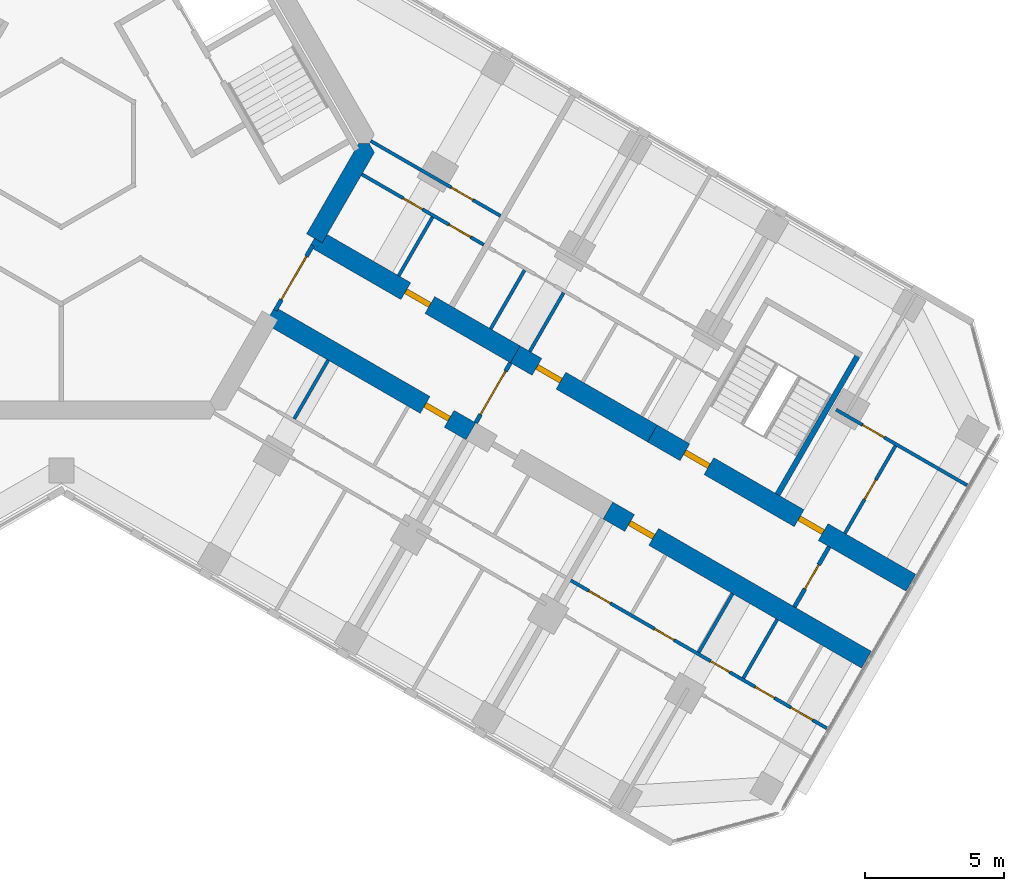
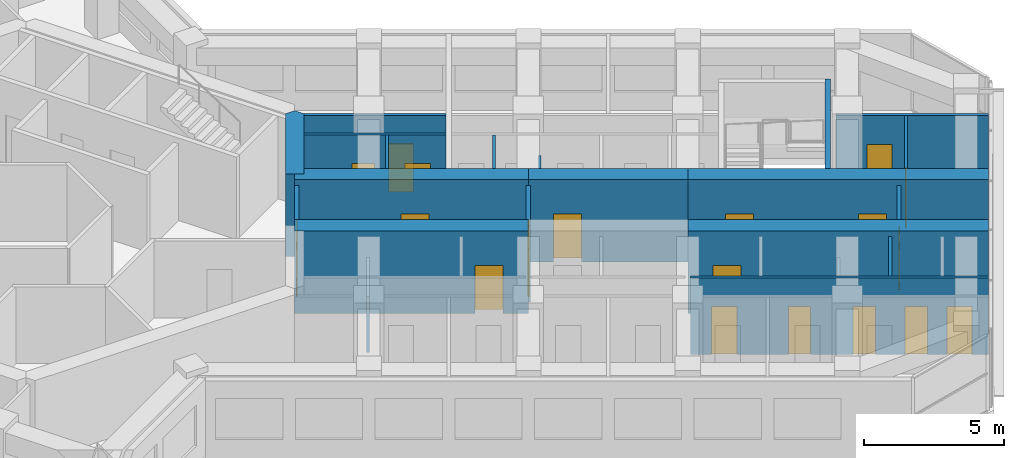
# One storey, part 12 of 17: 21 walls, 19 doors, 19 openings.
"""IFC4 building model written with IfcOpenShell, lengths in metres."""

from ifc_helpers import new_model, si_unit, direction, frame, frame_2d, origin, place, context, subcontext, project, spatial, polyline, rectangle, outline, extrude, material, layer, layer_set, type_object, element, fill, save


model = new_model("IFC4")

# Units and contexts
model_context = context("Model", 3, precision=1e-05, world=origin(), true_north=direction((0.0, 1.0)))
body_context = subcontext(model_context, "Body", "Model", "MODEL_VIEW")
ifc_project = project(units=[si_unit("LENGTHUNIT", "METRE"), si_unit("AREAUNIT", "SQUARE_METRE"), si_unit("VOLUMEUNIT", "CUBIC_METRE"), si_unit("PLANEANGLEUNIT", "RADIAN"), si_unit("MASSUNIT", "GRAM", prefix="KILO")], contexts=[model_context])

# Site, building, storey
site_placement = place(None, origin())
site = spatial("IfcSite", under=ifc_project, at=site_placement, CompositionType="ELEMENT")
building_placement = place(site_placement, origin())
building = spatial("IfcBuilding", under=site, at=building_placement, Name="Kosmar Iwan School Tower", CompositionType="ELEMENT")
storey_placement = place(building_placement, frame((0.0, 0.0, 193.800048828125)))
storey = spatial("IfcBuildingStorey", under=building, at=storey_placement, Name="L48", CompositionType="ELEMENT", Elevation=193.800048828125)

# Wall
ifc_material_1 = material(Name="Concrete C50/60", Category="concrete")
ifc_layer_1 = layer(ifc_material_1, 0.64990234375)
ifc_layer_set_1 = layer_set([ifc_layer_1], Name="Core wall 650")
wall_type_1 = type_object("IfcWallType", Name="Core wall 650", PredefinedType="SHEAR", material=ifc_layer_set_1)
wall_1_placement = place(storey_placement, origin())
element("IfcWall", 1, at=wall_1_placement, inside=storey, type_object=wall_type_1, Name="Core wall F330b", PredefinedType="SHEAR", context=body_context, shape_type="SweptSolid", body=[
    extrude(outline(polyline([(9.395263671875, -3.576904296875), (11.272705078125, -0.324951171875), (11.085205078125, 0.0), (10.7099609375, 0.0), (8.832275390625, -3.251953125), (9.395263671875, -3.576904296875)])), origin(), (0.0, 0.0, 1.0), 3.599853515625),
])

# Wall, opening, door
ifc_material_2 = material(Name="Concrete C50/60", Category="concrete")
ifc_layer_2 = layer(ifc_material_2, 0.699951171875)
ifc_layer_set_2 = layer_set([ifc_layer_2], Name="Corridor buttress wall 700")
wall_type_2 = type_object("IfcWallType", Name="Corridor buttress wall 700", PredefinedType="SHEAR", material=ifc_layer_set_2)
wall_2_placement = place(storey_placement, frame((9.11376953125, -3.414306640625, 0.0), z_axis=(0.0, 0.0, 1.0), x_axis=(0.866026859388, -0.499997478812, 0.0)))
wall_2 = element("IfcWall", 2, at=wall_2_placement, inside=storey, type_object=wall_type_2, Name="Corridor wall CL", PredefinedType="SHEAR", context=body_context, shape_type="SweptSolid", body=[
    extrude(rectangle(XDim=8.35009765625, YDim=0.699951171875, at=frame_2d((4.175048828125, 0.0))), origin(), (0.0, 0.0, 1.0), 3.599853515625),
])
opening_1_placement = place(wall_2_placement, frame((3.800048828125, 0.0, 0.0)))
opening_1 = element("IfcOpeningElement", 3, at=opening_1_placement, cuts=wall_2, Name="Opening D1", PredefinedType="OPENING", context=body_context, shape_type="SweptSolid", body=[
    extrude(rectangle(XDim=1.0, YDim=2.10009765625, at=frame_2d((0.5, 1.050048828125))), frame((0.0, 0.362060546875, 0.0), z_axis=(0.0, -1.0, 0.0), x_axis=(1.0, 0.0, 0.0)), (0.0, 0.0, 1.0), 0.723876953125),
])
ifc_material_3 = material(Name="Timber fire door in steel frame", Category="steel")
door_type_1 = type_object("IfcDoorType", Name="Flat entrance door 1000x2100", OperationType="SINGLE_SWING_LEFT", PredefinedType="DOOR", material=ifc_material_3)
door_1_placement = place(opening_1_placement, origin())
door_1 = element("IfcDoor", 4, at=door_1_placement, inside=storey, type_object=door_type_1, Name="Flat L48-CL1 entrance door", OperationType="SINGLE_SWING_LEFT", OverallHeight=2.10009765625, OverallWidth=1.0, PredefinedType="DOOR", context=body_context, shape_type="SweptSolid", body=[
    extrude(rectangle(XDim=1.0, YDim=2.10009765625, at=frame_2d((0.5, 1.050048828125))), frame((0.0, 0.10009765625, 0.0), z_axis=(0.0, -1.0, 0.0), x_axis=(1.0, 0.0, 0.0)), (0.0, 0.0, 1.0), 0.199951171875),
])
fill(opening_1, door_1)

wall_3_placement = place(storey_placement, frame((16.34521484375, -7.58935546875, 0.0), z_axis=(0.0, 0.0, 1.0), x_axis=(0.866015111908, -0.50001782563, 0.0)))
wall_3 = element("IfcWall", 5, at=wall_3_placement, inside=storey, type_object=wall_type_2, Name="Corridor wall CL bay 2", PredefinedType="SHEAR", context=body_context, shape_type="SweptSolid", body=[
    extrude(rectangle(XDim=5.699951171875, YDim=0.699951171875, at=frame_2d((2.85009765625, 0.0))), origin(), (0.0, 0.0, 1.0), 3.599853515625),
])
opening_2_placement = place(wall_3_placement, frame((0.89990234375, 0.0, 0.0)))
opening_2 = element("IfcOpeningElement", 6, at=opening_2_placement, cuts=wall_3, Name="Opening D1", PredefinedType="OPENING", context=body_context, shape_type="SweptSolid", body=[
    extrude(rectangle(XDim=1.0, YDim=2.10009765625, at=frame_2d((0.5, 1.050048828125))), frame((0.0, 0.362060546875, 0.0), z_axis=(0.0, -1.0, 0.0), x_axis=(1.0, 0.0, 0.0)), (0.0, 0.0, 1.0), 0.723876953125),
])
door_2_placement = place(opening_2_placement, origin())
door_2 = element("IfcDoor", 7, at=door_2_placement, inside=storey, type_object=door_type_1, Name="Flat L48-CL2 entrance door", OperationType="SINGLE_SWING_LEFT", OverallHeight=2.10009765625, OverallWidth=1.0, PredefinedType="DOOR", context=body_context, shape_type="SweptSolid", body=[
    extrude(rectangle(XDim=1.0, YDim=2.10009765625, at=frame_2d((0.5, 1.050048828125))), frame((0.0, 0.10009765625, 0.0), z_axis=(0.0, -1.0, 0.0), x_axis=(1.0, 0.0, 0.0)), (0.0, 0.0, 1.0), 0.199951171875),
])
fill(opening_2, door_2)

# Wall, openings, doors
wall_4_placement = place(storey_placement, frame((21.281494140625, -10.439453125, 0.0), z_axis=(0.0, 0.0, 1.0), x_axis=(0.866032345022, -0.499987977232, 0.0)))
wall_4 = element("IfcWall", 8, at=wall_4_placement, inside=storey, type_object=wall_type_2, Name="Corridor wall CL bay 3", PredefinedType="SHEAR", context=body_context, shape_type="SweptSolid", body=[
    extrude(rectangle(XDim=10.744873046875, YDim=0.699951171875, at=frame_2d((5.37255859375, 0.0))), origin(), (0.0, 0.0, 1.0), 3.599853515625),
])
opening_3_placement = place(wall_4_placement, frame((6.10009765625, 0.0, 0.0)))
opening_3 = element("IfcOpeningElement", 9, at=opening_3_placement, cuts=wall_4, Name="Opening D1", PredefinedType="OPENING", context=body_context, shape_type="SweptSolid", body=[
    extrude(rectangle(XDim=1.0, YDim=2.10009765625, at=frame_2d((0.5, 1.050048828125))), frame((0.0, 0.362060546875, 0.0), z_axis=(0.0, -1.0, 0.0), x_axis=(1.0, 0.0, 0.0)), (0.0, 0.0, 1.0), 0.723876953125),
])
opening_4_placement = place(wall_4_placement, frame((1.35009765625, 0.0, 0.0)))
opening_4 = element("IfcOpeningElement", 10, at=opening_4_placement, cuts=wall_4, Name="Opening D6", PredefinedType="OPENING", context=body_context, shape_type="SweptSolid", body=[
    extrude(rectangle(XDim=1.0, YDim=2.10009765625, at=frame_2d((0.5, 1.050048828125))), frame((0.0, 0.362060546875, 0.0), z_axis=(0.0, -1.0, 0.0), x_axis=(1.0, 0.0, 0.0)), (0.0, 0.0, 1.0), 0.723876953125),
])
door_3_placement = place(opening_3_placement, origin())
door_3 = element("IfcDoor", 11, at=door_3_placement, inside=storey, type_object=door_type_1, Name="Flat L48-CL3 entrance door", OperationType="SINGLE_SWING_RIGHT", OverallHeight=2.10009765625, OverallWidth=1.0, PredefinedType="DOOR", context=body_context, shape_type="SweptSolid", body=[
    extrude(rectangle(XDim=1.0, YDim=2.10009765625, at=frame_2d((0.5, 1.050048828125))), frame((0.0, 0.10009765625, 0.0), z_axis=(0.0, -1.0, 0.0), x_axis=(1.0, 0.0, 0.0)), (0.0, 0.0, 1.0), 0.199951171875),
])
fill(opening_3, door_3)
ifc_material_4 = material(Name="Steel fire door", Category="steel")
door_type_2 = type_object("IfcDoorType", Name="Stair door 1000x2100", OperationType="SINGLE_SWING_LEFT", PredefinedType="DOOR", material=ifc_material_4)
door_4_placement = place(opening_4_placement, origin())
door_4 = element("IfcDoor", 12, at=door_4_placement, inside=storey, type_object=door_type_2, Name="Stair WS3 door L48", OperationType="SINGLE_SWING_LEFT", OverallHeight=2.10009765625, OverallWidth=1.0, PredefinedType="DOOR", context=body_context, shape_type="SweptSolid", body=[
    extrude(rectangle(XDim=1.0, YDim=2.10009765625, at=frame_2d((0.5, 1.050048828125))), frame((0.0, 0.10009765625, 0.0), z_axis=(0.0, -1.0, 0.0), x_axis=(1.0, 0.0, 0.0)), (0.0, 0.0, 1.0), 0.199951171875),
])
fill(opening_4, door_4)

# Wall, opening, door
wall_5_placement = place(storey_placement, frame((7.513916015625, -6.185546875, 0.0), z_axis=(0.0, 0.0, 1.0), x_axis=(0.866019549707, -0.500010139422, 0.0)))
wall_5 = element("IfcWall", 13, at=wall_5_placement, inside=storey, type_object=wall_type_2, Name="Corridor wall CR", PredefinedType="SHEAR", context=body_context, shape_type="SweptSolid", body=[
    extrude(rectangle(XDim=8.349853515625, YDim=0.699951171875, at=frame_2d((4.1748046875, 0.0))), origin(), (0.0, 0.0, 1.0), 3.599853515625),
])
opening_5_placement = place(wall_5_placement, frame((6.449951171875, 0.0, 0.0)))
opening_5 = element("IfcOpeningElement", 14, at=opening_5_placement, cuts=wall_5, Name="Opening D1", PredefinedType="OPENING", context=body_context, shape_type="SweptSolid", body=[
    extrude(rectangle(XDim=1.0, YDim=2.10009765625, at=frame_2d((0.5, 1.050048828125))), frame((0.0, 0.362060546875, 0.0), z_axis=(0.0, -1.0, 0.0), x_axis=(1.0, 0.0, 0.0)), (0.0, 0.0, 1.0), 0.723876953125),
])
door_5_placement = place(opening_5_placement, origin())
door_5 = element("IfcDoor", 15, at=door_5_placement, inside=storey, type_object=door_type_1, Name="Flat L48-CR1 entrance door", OperationType="SINGLE_SWING_RIGHT", OverallHeight=2.10009765625, OverallWidth=1.0, PredefinedType="DOOR", context=body_context, shape_type="SweptSolid", body=[
    extrude(rectangle(XDim=1.0, YDim=2.10009765625, at=frame_2d((0.5, 1.050048828125))), frame((0.0, 0.10009765625, 0.0), z_axis=(0.0, -1.0, 0.0), x_axis=(1.0, 0.0, 0.0)), (0.0, 0.0, 1.0), 0.199951171875),
])
fill(opening_5, door_5)

wall_6_placement = place(storey_placement, frame((19.681396484375, -13.210693359375, 0.0), z_axis=(0.0, 0.0, 1.0), x_axis=(0.866028186671, -0.499995179869, 0.0)))
wall_6 = element("IfcWall", 16, at=wall_6_placement, inside=storey, type_object=wall_type_2, Name="Corridor wall CR bay 3", PredefinedType="SHEAR", context=body_context, shape_type="SweptSolid", body=[
    extrude(rectangle(XDim=10.7451171875, YDim=0.699951171875, at=frame_2d((5.37255859375, 0.0))), origin(), (0.0, 0.0, 1.0), 3.599853515625),
])
opening_6_placement = place(wall_6_placement, frame((0.89990234375, 0.0, 0.0)))
opening_6 = element("IfcOpeningElement", 17, at=opening_6_placement, cuts=wall_6, Name="Opening D1", PredefinedType="OPENING", context=body_context, shape_type="SweptSolid", body=[
    extrude(rectangle(XDim=1.0, YDim=2.10009765625, at=frame_2d((0.5, 1.050048828125))), frame((0.0, 0.362060546875, 0.0), z_axis=(0.0, -1.0, 0.0), x_axis=(1.0, 0.0, 0.0)), (0.0, 0.0, 1.0), 0.723876953125),
])
door_6_placement = place(opening_6_placement, origin())
door_6 = element("IfcDoor", 18, at=door_6_placement, inside=storey, type_object=door_type_1, Name="Flat L48-CR3 entrance door", OperationType="SINGLE_SWING_LEFT", OverallHeight=2.10009765625, OverallWidth=1.0, PredefinedType="DOOR", context=body_context, shape_type="SweptSolid", body=[
    extrude(rectangle(XDim=1.0, YDim=2.10009765625, at=frame_2d((0.5, 1.050048828125))), frame((0.0, 0.10009765625, 0.0), z_axis=(0.0, -1.0, 0.0), x_axis=(1.0, 0.0, 0.0)), (0.0, 0.0, 1.0), 0.199951171875),
])
fill(opening_6, door_6)

ifc_material_5 = material(Name="Gypsum board on steel studs, fire-rated", Category="steel")
ifc_layer_3 = layer(ifc_material_5, 0.14990234375)
ifc_layer_set_3 = layer_set([ifc_layer_3], Name="Corridor end wall 150")
wall_type_3 = type_object("IfcWallType", Name="Corridor end wall 150", PredefinedType="PARTITIONING", material=ifc_layer_set_3)
wall_7_placement = place(storey_placement, frame((26.39501953125, -16.6826171875, 0.0), z_axis=(0.0, 0.0, 1.0), x_axis=(0.500004234368, 0.866022959057, 0.0)))
wall_7 = element("IfcWall", 19, at=wall_7_placement, inside=storey, type_object=wall_type_3, Name="Partition L48-C-CE", PredefinedType="PARTITIONING", context=body_context, shape_type="SweptSolid", body=[
    extrude(rectangle(XDim=2.5, YDim=0.14990234375, at=frame_2d((1.25, 0.0))), origin(), (0.0, 0.0, 1.0), 3.349853515625),
])
opening_7_placement = place(wall_7_placement, frame((0.75, 0.0, 0.0)))
opening_7 = element("IfcOpeningElement", 20, at=opening_7_placement, cuts=wall_7, Name="Opening D13", PredefinedType="OPENING", context=body_context, shape_type="SweptSolid", body=[
    extrude(rectangle(XDim=1.0, YDim=2.10009765625, at=frame_2d((0.5, 1.050048828125))), frame((0.0, 0.0869140625, 0.0), z_axis=(0.0, -1.0, 0.0), x_axis=(1.0, 0.0, 0.0)), (0.0, 0.0, 1.0), 0.173828125),
])
ifc_material_6 = material(Name="Timber fire door with vision panel", Category="wood")
door_type_3 = type_object("IfcDoorType", Name="Corridor end door 1000x2100", OperationType="SINGLE_SWING_LEFT", PredefinedType="DOOR", material=ifc_material_6)
door_7_placement = place(opening_7_placement, origin())
door_7 = element("IfcDoor", 21, at=door_7_placement, inside=storey, type_object=door_type_3, Name="Laundry and drying room door L48-C", OperationType="SINGLE_SWING_RIGHT", OverallHeight=2.10009765625, OverallWidth=1.0, PredefinedType="DOOR", context=body_context, shape_type="SweptSolid", body=[
    extrude(rectangle(XDim=1.0, YDim=2.10009765625, at=frame_2d((0.5, 1.050048828125))), frame((0.0, 0.02490234375, 0.0), z_axis=(0.0, -1.0, 0.0), x_axis=(1.0, 0.0, 0.0)), (0.0, 0.0, 1.0), 0.050048828125),
])
fill(opening_7, door_7)

wall_8_placement = place(storey_placement, frame((14.920166015625, -10.0576171875, 0.0), z_axis=(0.0, 0.0, 1.0), x_axis=(0.500004234368, 0.866022959057, 0.0)))
wall_8 = element("IfcWall", 22, at=wall_8_placement, inside=storey, type_object=wall_type_3, Name="Partition L48-C-HW", PredefinedType="PARTITIONING", context=body_context, shape_type="SweptSolid", body=[
    extrude(rectangle(XDim=2.5, YDim=0.14990234375, at=frame_2d((1.25, 0.0))), origin(), (0.0, 0.0, 1.0), 3.349853515625),
])
opening_8_placement = place(wall_8_placement, frame((0.35009765625, 0.0, 0.0)))
opening_8 = element("IfcOpeningElement", 23, at=opening_8_placement, cuts=wall_8, Name="Opening D9", PredefinedType="OPENING", context=body_context, shape_type="SweptSolid", body=[
    extrude(rectangle(XDim=1.800048828125, YDim=2.10009765625, at=frame_2d((0.89990234375, 1.050048828125))), frame((0.0, 0.0869140625, 0.0), z_axis=(0.0, -1.0, 0.0), x_axis=(1.0, 0.0, 0.0)), (0.0, 0.0, 1.0), 0.173828125),
])
ifc_material_7 = material(Name="Steel framed glazed smoke door", Category="steel")
door_type_4 = type_object("IfcDoorType", Name="Corridor smoke door pair 1800x2100", OperationType="DOUBLE_DOOR_DOUBLE_SWING", PredefinedType="DOOR", material=ifc_material_7)
door_8_placement = place(opening_8_placement, origin())
door_8 = element("IfcDoor", 24, at=door_8_placement, inside=storey, type_object=door_type_4, Name="Entrance vestibule smoke doors L48-C", OperationType="DOUBLE_DOOR_DOUBLE_SWING", OverallHeight=2.10009765625, OverallWidth=1.800048828125, PredefinedType="DOOR", context=body_context, shape_type="SweptSolid", body=[
    extrude(rectangle(XDim=1.800048828125, YDim=2.10009765625, at=frame_2d((0.89990234375, 1.050048828125))), frame((0.0, 0.02490234375, 0.0), z_axis=(0.0, -1.0, 0.0), x_axis=(1.0, 0.0, 0.0)), (0.0, 0.0, 1.0), 0.050048828125),
])
fill(opening_8, door_8)

ifc_material_8 = material(Name="Steel framed glazed screen", Category="steel")
ifc_layer_4 = layer(ifc_material_8, 0.14990234375)
ifc_layer_set_4 = layer_set([ifc_layer_4], Name="Corridor screen wall 150")
wall_type_4 = type_object("IfcWallType", Name="Corridor screen wall 150", PredefinedType="PARTITIONING", material=ifc_layer_set_4)
wall_9_placement = place(storey_placement, frame((7.703857421875, -6.006591796875, 0.0), z_axis=(0.0, 0.0, 1.0), x_axis=(0.499980770555, 0.866036505625, 0.0)))
wall_9 = element("IfcWall", 25, at=wall_9_placement, inside=storey, type_object=wall_type_4, Name="Corridor screen C L48", PredefinedType="PARTITIONING", context=body_context, shape_type="SweptSolid", body=[
    extrude(rectangle(XDim=2.69970703125, YDim=0.14990234375, at=frame_2d((1.349853515625, 0.0))), origin(), (0.0, 0.0, 1.0), 3.349853515625),
])
opening_9_placement = place(wall_9_placement, frame((0.449951171875, 0.0, 0.0)))
opening_9 = element("IfcOpeningElement", 26, at=opening_9_placement, cuts=wall_9, Name="Opening D9", PredefinedType="OPENING", context=body_context, shape_type="SweptSolid", body=[
    extrude(rectangle(XDim=1.800048828125, YDim=2.10009765625, at=frame_2d((0.89990234375, 1.050048828125))), frame((0.0, 0.0869140625, 0.0), z_axis=(0.0, -1.0, 0.0), x_axis=(1.0, 0.0, 0.0)), (0.0, 0.0, 1.0), 0.173828125),
])
door_9_placement = place(opening_9_placement, origin())
door_9 = element("IfcDoor", 27, at=door_9_placement, inside=storey, type_object=door_type_4, Name="Corridor doors C L48", OperationType="DOUBLE_DOOR_DOUBLE_SWING", OverallHeight=2.10009765625, OverallWidth=1.800048828125, PredefinedType="DOOR", context=body_context, shape_type="SweptSolid", body=[
    extrude(rectangle(XDim=1.800048828125, YDim=2.10009765625, at=frame_2d((0.89990234375, 1.050048828125))), frame((0.0, 0.02490234375, 0.0), z_axis=(0.0, -1.0, 0.0), x_axis=(1.0, 0.0, 0.0)), (0.0, 0.0, 1.0), 0.050048828125),
])
fill(opening_9, door_9)

# Wall, openings, doors
ifc_material_9 = material(Name="Gypsum board on steel studs", Category="steel")
ifc_layer_5 = layer(ifc_material_9, 0.1201171875)
ifc_layer_set_5 = layer_set([ifc_layer_5], Name="Dwelling partition 120")
wall_type_5 = type_object("IfcWallType", Name="Dwelling partition 120", PredefinedType="PARTITIONING", material=ifc_layer_set_5)
wall_10_placement = place(storey_placement, frame((10.8203125, -1.108642578125, 0.0), z_axis=(0.0, 0.0, 1.0), x_axis=(0.866014145503, -0.500019499409, 0.0)))
wall_10 = element("IfcWall", 28, at=wall_10_placement, inside=storey, type_object=wall_type_5, Name="Partition L48-CL1-W1", PredefinedType="PARTITIONING", context=body_context, shape_type="SweptSolid", body=[
    extrude(rectangle(XDim=5.074951171875, YDim=0.1201171875, at=frame_2d((2.53759765625, 0.0))), origin(), (0.0, 0.0, 1.0), 3.349853515625),
])
opening_10_placement = place(wall_10_placement, frame((1.72509765625, 0.0, 0.0)))
opening_10 = element("IfcOpeningElement", 29, at=opening_10_placement, cuts=wall_10, Name="Opening D3", PredefinedType="OPENING", context=body_context, shape_type="SweptSolid", body=[
    extrude(rectangle(XDim=0.800048828125, YDim=2.10009765625, at=frame_2d((0.39990234375, 1.050048828125))), frame((0.0, 0.072021484375, 0.0), z_axis=(0.0, -1.0, 0.0), x_axis=(1.0, 0.0, 0.0)), (0.0, 0.0, 1.0), 0.14404296875),
])
opening_11_placement = place(wall_10_placement, frame((3.625, 0.0, 0.0)))
opening_11 = element("IfcOpeningElement", 30, at=opening_11_placement, cuts=wall_10, Name="Opening D2", PredefinedType="OPENING", context=body_context, shape_type="SweptSolid", body=[
    extrude(rectangle(XDim=0.89990234375, YDim=2.10009765625, at=frame_2d((0.449951171875, 1.050048828125))), frame((0.0, 0.072021484375, 0.0), z_axis=(0.0, -1.0, 0.0), x_axis=(1.0, 0.0, 0.0)), (0.0, 0.0, 1.0), 0.14404296875),
])
ifc_material_10 = material(Name="Timber door in timber frame", Category="wood")
door_type_5 = type_object("IfcDoorType", Name="Internal door 900x2100", OperationType="SINGLE_SWING_LEFT", PredefinedType="DOOR", material=ifc_material_10)
door_10_placement = place(opening_11_placement, origin())
door_10 = element("IfcDoor", 31, at=door_10_placement, inside=storey, type_object=door_type_5, Name="Entrance hall door L48-CL1-S2", OperationType="SINGLE_SWING_RIGHT", OverallHeight=2.10009765625, OverallWidth=0.89990234375, PredefinedType="DOOR", context=body_context, shape_type="SweptSolid", body=[
    extrude(rectangle(XDim=0.89990234375, YDim=2.10009765625, at=frame_2d((0.449951171875, 1.050048828125))), frame((0.0, 0.02490234375, 0.0), z_axis=(0.0, -1.0, 0.0), x_axis=(1.0, 0.0, 0.0)), (0.0, 0.0, 1.0), 0.050048828125),
])
fill(opening_11, door_10)
ifc_material_11 = material(Name="Timber door in timber frame", Category="wood")
door_type_6 = type_object("IfcDoorType", Name="Sanitary room door 800x2100", OperationType="SINGLE_SWING_LEFT", PredefinedType="DOOR", material=ifc_material_11)
door_11_placement = place(opening_10_placement, origin())
door_11 = element("IfcDoor", 32, at=door_11_placement, inside=storey, type_object=door_type_6, Name="Bathroom door L48-CL1-S1", OperationType="SINGLE_SWING_LEFT", OverallHeight=2.10009765625, OverallWidth=0.800048828125, PredefinedType="DOOR", context=body_context, shape_type="SweptSolid", body=[
    extrude(rectangle(XDim=0.800048828125, YDim=2.10009765625, at=frame_2d((0.39990234375, 1.050048828125))), frame((0.0, 0.02490234375, 0.0), z_axis=(0.0, -1.0, 0.0), x_axis=(1.0, 0.0, 0.0)), (0.0, 0.0, 1.0), 0.050048828125),
])
fill(opening_10, door_11)

# Wall, opening, door
wall_11_placement = place(storey_placement, frame((11.138916015625, 0.093017578125, 0.0), z_axis=(0.0, 0.0, 1.0), x_axis=(0.866028230842, -0.499995103361, 0.0)))
wall_11 = element("IfcWall", 33, at=wall_11_placement, inside=storey, type_object=wall_type_5, Name="Partition L48-CL1-W2", PredefinedType="PARTITIONING", context=body_context, shape_type="SweptSolid", body=[
    extrude(rectangle(XDim=5.39990234375, YDim=0.1201171875, at=frame_2d((2.699951171875, 0.0))), origin(), (0.0, 0.0, 1.0), 3.349853515625),
])
opening_12_placement = place(wall_11_placement, frame((3.35009765625, 0.0, 0.0)))
opening_12 = element("IfcOpeningElement", 34, at=opening_12_placement, cuts=wall_11, Name="Opening D2", PredefinedType="OPENING", context=body_context, shape_type="SweptSolid", body=[
    extrude(rectangle(XDim=0.89990234375, YDim=2.10009765625, at=frame_2d((0.449951171875, 1.050048828125))), frame((0.0, 0.072021484375, 0.0), z_axis=(0.0, -1.0, 0.0), x_axis=(1.0, 0.0, 0.0)), (0.0, 0.0, 1.0), 0.14404296875),
])
door_12_placement = place(opening_12_placement, origin())
door_12 = element("IfcDoor", 35, at=door_12_placement, inside=storey, type_object=door_type_5, Name="Studio living room and kitchen door L48-CL1-F1", OperationType="SINGLE_SWING_RIGHT", OverallHeight=2.10009765625, OverallWidth=0.89990234375, PredefinedType="DOOR", context=body_context, shape_type="SweptSolid", body=[
    extrude(rectangle(XDim=0.89990234375, YDim=2.10009765625, at=frame_2d((0.449951171875, 1.050048828125))), frame((0.0, 0.02490234375, 0.0), z_axis=(0.0, -1.0, 0.0), x_axis=(1.0, 0.0, 0.0)), (0.0, 0.0, 1.0), 0.050048828125),
])
fill(opening_12, door_12)

# Walls
wall_12_placement = place(storey_placement, frame((12.146728515625, -4.76123046875, 0.0), z_axis=(0.0, 0.0, 1.0), x_axis=(0.500002508028, 0.866023955769, 0.0)))
element("IfcWall", 36, at=wall_12_placement, inside=storey, type_object=wall_type_5, Name="Partition L48-CL1-Y1", PredefinedType="PARTITIONING", context=body_context, shape_type="SweptSolid", body=[
    extrude(rectangle(XDim=2.43994140625, YDim=0.1201171875, at=frame_2d((1.219970703125, 0.0))), origin(), (0.0, 0.0, 1.0), 3.349853515625),
])
wall_13_placement = place(storey_placement, frame((15.459228515625, -6.673828125, 0.0), z_axis=(0.0, 0.0, 1.0), x_axis=(0.499959183527, 0.866048967903, 0.0)))
element("IfcWall", 37, at=wall_13_placement, inside=storey, type_object=wall_type_5, Name="Partition L48-CL2-Y1", PredefinedType="PARTITIONING", context=body_context, shape_type="SweptSolid", body=[
    extrude(rectangle(XDim=2.440185546875, YDim=0.1201171875, at=frame_2d((1.22021484375, 0.0))), origin(), (0.0, 0.0, 1.0), 3.349853515625),
])
wall_14_placement = place(storey_placement, frame((16.866455078125, -7.486328125, 0.0), z_axis=(0.0, 0.0, 1.0), x_axis=(0.500034220881, 0.866005645448, 0.0)))
element("IfcWall", 38, at=wall_14_placement, inside=storey, type_object=wall_type_5, Name="Partition L48-CL2-Y2", PredefinedType="PARTITIONING", context=body_context, shape_type="SweptSolid", body=[
    extrude(rectangle(XDim=2.440185546875, YDim=0.1201171875, at=frame_2d((1.22021484375, 0.0))), origin(), (0.0, 0.0, 1.0), 2.449951171875),
])

# Wall, opening, door
wall_15_placement = place(storey_placement, frame((27.896484375, -9.58203125, 0.0), z_axis=(0.0, 0.0, 1.0), x_axis=(0.866035508231, -0.499982498177, 0.0)))
wall_15 = element("IfcWall", 39, at=wall_15_placement, inside=storey, type_object=wall_type_5, Name="Partition L48-CL3-TW", PredefinedType="PARTITIONING", context=body_context, shape_type="SweptSolid", body=[
    extrude(rectangle(XDim=5.445068359375, YDim=0.1201171875, at=frame_2d((2.72265625, 0.0))), origin(), (0.0, 0.0, 1.0), 3.349853515625),
])
opening_13_placement = place(wall_15_placement, frame((1.10009765625, 0.0, 0.0)))
opening_13 = element("IfcOpeningElement", 40, at=opening_13_placement, cuts=wall_15, Name="Opening D2", PredefinedType="OPENING", context=body_context, shape_type="SweptSolid", body=[
    extrude(rectangle(XDim=0.89990234375, YDim=2.10009765625, at=frame_2d((0.449951171875, 1.050048828125))), frame((0.0, 0.072021484375, 0.0), z_axis=(0.0, -1.0, 0.0), x_axis=(1.0, 0.0, 0.0)), (0.0, 0.0, 1.0), 0.14404296875),
])
door_13_placement = place(opening_13_placement, origin())
door_13 = element("IfcDoor", 41, at=door_13_placement, inside=storey, type_object=door_type_5, Name="Entrance hall door L48-CL3-T3", OperationType="SINGLE_SWING_LEFT", OverallHeight=2.10009765625, OverallWidth=0.89990234375, PredefinedType="DOOR", context=body_context, shape_type="SweptSolid", body=[
    extrude(rectangle(XDim=0.89990234375, YDim=2.10009765625, at=frame_2d((0.449951171875, 1.050048828125))), frame((0.0, 0.02490234375, 0.0), z_axis=(0.0, -1.0, 0.0), x_axis=(1.0, 0.0, 0.0)), (0.0, 0.0, 1.0), 0.050048828125),
])
fill(opening_13, door_13)

wall_16_placement = place(storey_placement, frame((28.21142578125, -14.036376953125, 0.0), z_axis=(0.0, 0.0, 1.0), x_axis=(0.499983701346, 0.866034813612, 0.0)))
wall_16 = element("IfcWall", 42, at=wall_16_placement, inside=storey, type_object=wall_type_5, Name="Partition L48-CL3-TY", PredefinedType="PARTITIONING", context=body_context, shape_type="SweptSolid", body=[
    extrude(rectangle(XDim=3.64013671875, YDim=0.1201171875, at=frame_2d((1.820068359375, 0.0))), origin(), (0.0, 0.0, 1.0), 3.349853515625),
])
opening_14_placement = place(wall_16_placement, frame((1.419921875, 0.0, 0.0)))
opening_14 = element("IfcOpeningElement", 43, at=opening_14_placement, cuts=wall_16, Name="Opening D3", PredefinedType="OPENING", context=body_context, shape_type="SweptSolid", body=[
    extrude(rectangle(XDim=0.800048828125, YDim=2.10009765625, at=frame_2d((0.39990234375, 1.050048828125))), frame((0.0, 0.072021484375, 0.0), z_axis=(0.0, -1.0, 0.0), x_axis=(1.0, 0.0, 0.0)), (0.0, 0.0, 1.0), 0.14404296875),
])
door_14_placement = place(opening_14_placement, origin())
door_14 = element("IfcDoor", 44, at=door_14_placement, inside=storey, type_object=door_type_6, Name="Bathroom door L48-CL3-T4", OperationType="SINGLE_SWING_RIGHT", OverallHeight=2.10009765625, OverallWidth=0.800048828125, PredefinedType="DOOR", context=body_context, shape_type="SweptSolid", body=[
    extrude(rectangle(XDim=0.800048828125, YDim=2.10009765625, at=frame_2d((0.39990234375, 1.050048828125))), frame((0.0, 0.02490234375, 0.0), z_axis=(0.0, -1.0, 0.0), x_axis=(1.0, 0.0, 0.0)), (0.0, 0.0, 1.0), 0.050048828125),
])
fill(opening_14, door_14)

# Wall
wall_17_placement = place(storey_placement, frame((9.60791015625, -7.798828125, 0.0), z_axis=(0.0, 0.0, 1.0), x_axis=(-0.500002508028, -0.866023955769, 0.0)))
element("IfcWall", 45, at=wall_17_placement, inside=storey, type_object=wall_type_5, Name="Partition L48-CR1-Y1", PredefinedType="PARTITIONING", context=body_context, shape_type="SweptSolid", body=[
    extrude(rectangle(XDim=2.43994140625, YDim=0.1201171875, at=frame_2d((1.219970703125, 0.0))), origin(), (0.0, 0.0, 1.0), 2.449951171875),
])

# Wall, openings, doors
wall_18_placement = place(storey_placement, frame((18.343017578125, -15.728759765625, 0.0), z_axis=(0.0, 0.0, 1.0), x_axis=(0.866028616566, -0.499994435258, 0.0)))
wall_18 = element("IfcWall", 46, at=wall_18_placement, inside=storey, type_object=wall_type_5, Name="Partition L48-CR3-W1", PredefinedType="PARTITIONING", context=body_context, shape_type="SweptSolid", body=[
    extrude(rectangle(XDim=10.64501953125, YDim=0.1201171875, at=frame_2d((5.322509765625, 0.0))), origin(), (0.0, 0.0, 1.0), 3.349853515625),
])
opening_15_placement = place(wall_18_placement, frame((0.75, 0.0, 0.0)))
opening_15 = element("IfcOpeningElement", 47, at=opening_15_placement, cuts=wall_18, Name="Opening D2", PredefinedType="OPENING", context=body_context, shape_type="SweptSolid", body=[
    extrude(rectangle(XDim=0.89990234375, YDim=2.10009765625, at=frame_2d((0.449951171875, 1.050048828125))), frame((0.0, 0.072021484375, 0.0), z_axis=(0.0, -1.0, 0.0), x_axis=(1.0, 0.0, 0.0)), (0.0, 0.0, 1.0), 0.14404296875),
])
opening_16_placement = place(wall_18_placement, frame((3.49169921875, 0.0, 0.0)))
opening_16 = element("IfcOpeningElement", 48, at=opening_16_placement, cuts=wall_18, Name="Opening D3", PredefinedType="OPENING", context=body_context, shape_type="SweptSolid", body=[
    extrude(rectangle(XDim=0.800048828125, YDim=2.10009765625, at=frame_2d((0.39990234375, 1.050048828125))), frame((0.0, 0.072021484375, 0.0), z_axis=(0.0, -1.0, 0.0), x_axis=(1.0, 0.0, 0.0)), (0.0, 0.0, 1.0), 0.14404296875),
])
opening_17_placement = place(wall_18_placement, frame((5.81103515625, 0.0, 0.0)))
opening_17 = element("IfcOpeningElement", 49, at=opening_17_placement, cuts=wall_18, Name="Opening D3", PredefinedType="OPENING", context=body_context, shape_type="SweptSolid", body=[
    extrude(rectangle(XDim=0.800048828125, YDim=2.10009765625, at=frame_2d((0.39990234375, 1.050048828125))), frame((0.0, 0.072021484375, 0.0), z_axis=(0.0, -1.0, 0.0), x_axis=(1.0, 0.0, 0.0)), (0.0, 0.0, 1.0), 0.14404296875),
])
opening_18_placement = place(wall_18_placement, frame((7.666748046875, 0.0, 0.0)))
opening_18 = element("IfcOpeningElement", 50, at=opening_18_placement, cuts=wall_18, Name="Opening D3", PredefinedType="OPENING", context=body_context, shape_type="SweptSolid", body=[
    extrude(rectangle(XDim=0.800048828125, YDim=2.10009765625, at=frame_2d((0.39990234375, 1.050048828125))), frame((0.0, 0.072021484375, 0.0), z_axis=(0.0, -1.0, 0.0), x_axis=(1.0, 0.0, 0.0)), (0.0, 0.0, 1.0), 0.14404296875),
])
opening_19_placement = place(wall_18_placement, frame((9.154541015625, 0.0, 0.0)))
opening_19 = element("IfcOpeningElement", 51, at=opening_19_placement, cuts=wall_18, Name="Opening D2", PredefinedType="OPENING", context=body_context, shape_type="SweptSolid", body=[
    extrude(rectangle(XDim=0.89990234375, YDim=2.10009765625, at=frame_2d((0.449951171875, 1.050048828125))), frame((0.0, 0.072021484375, 0.0), z_axis=(0.0, -1.0, 0.0), x_axis=(1.0, 0.0, 0.0)), (0.0, 0.0, 1.0), 0.14404296875),
])
door_15_placement = place(opening_15_placement, origin())
door_15 = element("IfcDoor", 52, at=door_15_placement, inside=storey, type_object=door_type_5, Name="Entrance hall door L48-CR3-S1", OperationType="SINGLE_SWING_LEFT", OverallHeight=2.10009765625, OverallWidth=0.89990234375, PredefinedType="DOOR", context=body_context, shape_type="SweptSolid", body=[
    extrude(rectangle(XDim=0.89990234375, YDim=2.10009765625, at=frame_2d((0.449951171875, 1.050048828125))), frame((0.0, 0.02490234375, 0.0), z_axis=(0.0, -1.0, 0.0), x_axis=(1.0, 0.0, 0.0)), (0.0, 0.0, 1.0), 0.050048828125),
])
fill(opening_15, door_15)
door_16_placement = place(opening_19_placement, origin())
door_16 = element("IfcDoor", 53, at=door_16_placement, inside=storey, type_object=door_type_5, Name="Pantry door L48-CR3-S5", OperationType="SINGLE_SWING_LEFT", OverallHeight=2.10009765625, OverallWidth=0.89990234375, PredefinedType="DOOR", context=body_context, shape_type="SweptSolid", body=[
    extrude(rectangle(XDim=0.89990234375, YDim=2.10009765625, at=frame_2d((0.449951171875, 1.050048828125))), frame((0.0, 0.02490234375, 0.0), z_axis=(0.0, -1.0, 0.0), x_axis=(1.0, 0.0, 0.0)), (0.0, 0.0, 1.0), 0.050048828125),
])
fill(opening_19, door_16)
door_17_placement = place(opening_16_placement, origin())
door_17 = element("IfcDoor", 54, at=door_17_placement, inside=storey, type_object=door_type_6, Name="Bathroom door L48-CR3-S2", OperationType="SINGLE_SWING_RIGHT", OverallHeight=2.10009765625, OverallWidth=0.800048828125, PredefinedType="DOOR", context=body_context, shape_type="SweptSolid", body=[
    extrude(rectangle(XDim=0.800048828125, YDim=2.10009765625, at=frame_2d((0.39990234375, 1.050048828125))), frame((0.0, 0.02490234375, 0.0), z_axis=(0.0, -1.0, 0.0), x_axis=(1.0, 0.0, 0.0)), (0.0, 0.0, 1.0), 0.050048828125),
])
fill(opening_16, door_17)
door_18_placement = place(opening_17_placement, origin())
door_18 = element("IfcDoor", 55, at=door_18_placement, inside=storey, type_object=door_type_6, Name="Grandparents' shower room door L48-CR3-S3", OperationType="SINGLE_SWING_LEFT", OverallHeight=2.10009765625, OverallWidth=0.800048828125, PredefinedType="DOOR", context=body_context, shape_type="SweptSolid", body=[
    extrude(rectangle(XDim=0.800048828125, YDim=2.10009765625, at=frame_2d((0.39990234375, 1.050048828125))), frame((0.0, 0.02490234375, 0.0), z_axis=(0.0, -1.0, 0.0), x_axis=(1.0, 0.0, 0.0)), (0.0, 0.0, 1.0), 0.050048828125),
])
fill(opening_17, door_18)
door_19_placement = place(opening_18_placement, origin())
door_19 = element("IfcDoor", 56, at=door_19_placement, inside=storey, type_object=door_type_6, Name="Shower room door L48-CR3-S4", OperationType="SINGLE_SWING_RIGHT", OverallHeight=2.10009765625, OverallWidth=0.800048828125, PredefinedType="DOOR", context=body_context, shape_type="SweptSolid", body=[
    extrude(rectangle(XDim=0.800048828125, YDim=2.10009765625, at=frame_2d((0.39990234375, 1.050048828125))), frame((0.0, 0.02490234375, 0.0), z_axis=(0.0, -1.0, 0.0), x_axis=(1.0, 0.0, 0.0)), (0.0, 0.0, 1.0), 0.050048828125),
])
fill(opening_18, door_19)

# Walls
wall_19_placement = place(storey_placement, frame((24.168701171875, -16.205322265625, 0.0), z_axis=(0.0, 0.0, 1.0), x_axis=(-0.500034220881, -0.866005645448, 0.0)))
element("IfcWall", 57, at=wall_19_placement, inside=storey, type_object=wall_type_5, Name="Partition L48-CR3-Y2", PredefinedType="PARTITIONING", context=body_context, shape_type="SweptSolid", body=[
    extrude(rectangle(XDim=2.440185546875, YDim=0.1201171875, at=frame_2d((1.22021484375, 0.0))), origin(), (0.0, 0.0, 1.0), 2.449951171875),
])
wall_20_placement = place(storey_placement, frame((25.775634765625, -17.13330078125, 0.0), z_axis=(0.0, 0.0, 1.0), x_axis=(-0.500002508028, -0.866023955769, 0.0)))
element("IfcWall", 58, at=wall_20_placement, inside=storey, type_object=wall_type_5, Name="Partition L48-CR3-Y3", PredefinedType="PARTITIONING", context=body_context, shape_type="SweptSolid", body=[
    extrude(rectangle(XDim=2.43994140625, YDim=0.1201171875, at=frame_2d((1.219970703125, 0.0))), origin(), (0.0, 0.0, 1.0), 3.349853515625),
])
ifc_material_12 = material(Name="Concrete C35/45", Category="concrete")
ifc_layer_6 = layer(ifc_material_12, 0.199951171875)
ifc_layer_set_6 = layer_set([ifc_layer_6], Name="Escape stair wall 200")
wall_type_6 = type_object("IfcWallType", Name="Escape stair wall 200", PredefinedType="SHEAR", material=ifc_layer_set_6)
wall_21_placement = place(storey_placement, frame((25.78662109375, -12.63623046875, 0.0), z_axis=(0.0, 0.0, 1.0), x_axis=(0.500013701029, 0.866017493347, 0.0)))
element("IfcWall", 59, at=wall_21_placement, inside=storey, type_object=wall_type_6, Name="Stair WS3 wall", PredefinedType="SHEAR", context=body_context, shape_type="SweptSolid", body=[
    extrude(rectangle(XDim=5.949951171875, YDim=0.199951171875, at=frame_2d((2.97509765625, 0.0))), origin(), (0.0, 0.0, 1.0), 3.329833984375),
])

save(model, "model.ifc")
